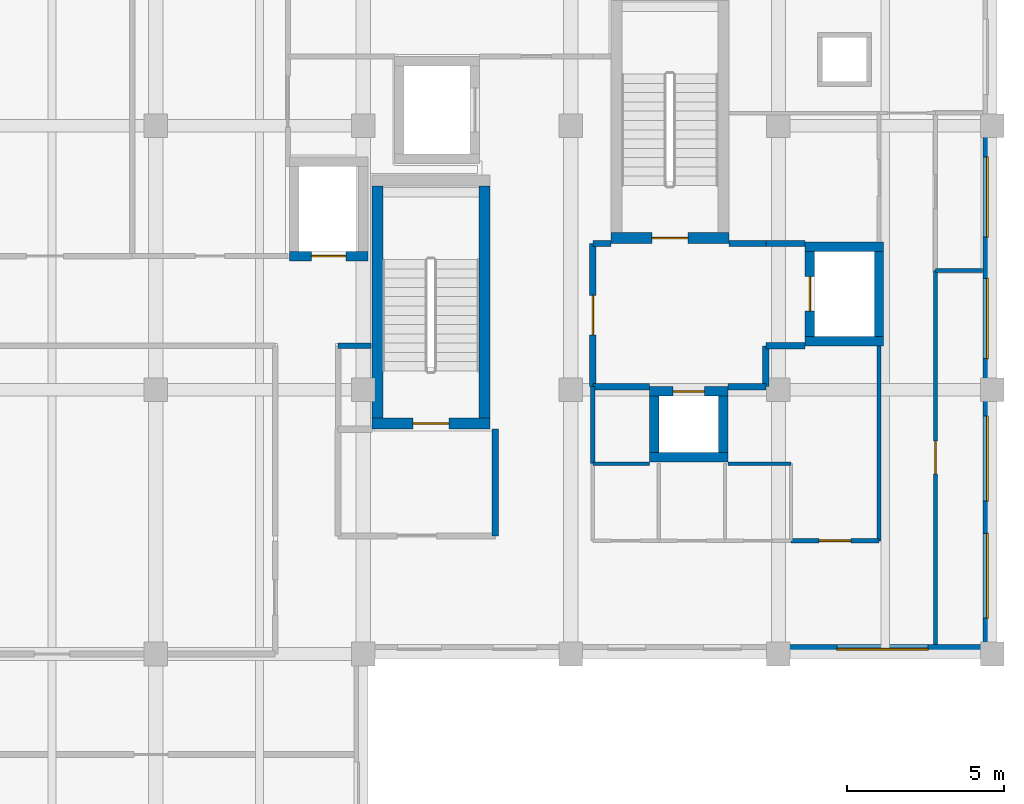
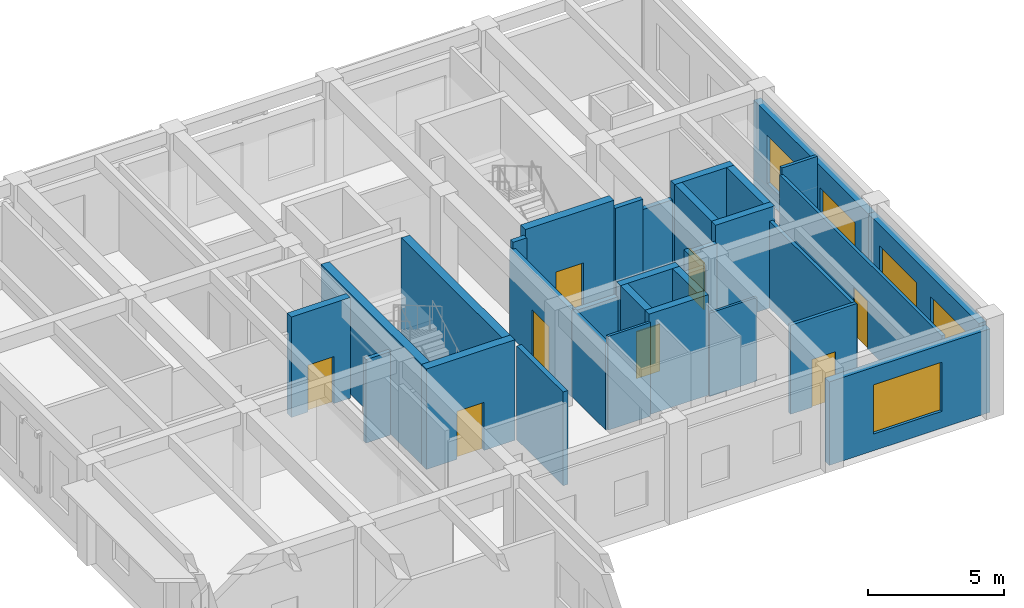
# One storey, part 13 of 25: 33 walls, 8 doors, 5 windows, 13 openings.
"""IFC4 building model written with IfcOpenShell, lengths in metres."""

from ifc_helpers import new_model, si_unit, direction, frame, frame_2d, origin, place, context, subcontext, project, spatial, rectangle, extrude, material, layer, layer_set, type_object, element, fill, save


model = new_model("IFC4")

# Units and contexts
model_context = context("Model", 3, precision=1e-05, world=origin(), true_north=direction((0.0, 1.0)))
body_context = subcontext(model_context, "Body", "Model", "MODEL_VIEW")
ifc_project = project(units=[si_unit("LENGTHUNIT", "METRE"), si_unit("AREAUNIT", "SQUARE_METRE"), si_unit("VOLUMEUNIT", "CUBIC_METRE"), si_unit("PLANEANGLEUNIT", "RADIAN"), si_unit("MASSUNIT", "GRAM", prefix="KILO")], contexts=[model_context])

# Site, building, storey
site_placement = place(None, origin())
site = spatial("IfcSite", under=ifc_project, at=site_placement, CompositionType="ELEMENT")
building_placement = place(site_placement, origin())
building = spatial("IfcBuilding", under=site, at=building_placement, Name="Kolvaren Faculty of Natural Sciences", CompositionType="ELEMENT")
storey_placement = place(building_placement, frame((0.0, 0.0, 19.5)))
storey = spatial("IfcBuildingStorey", under=building, at=storey_placement, Name="L04", CompositionType="ELEMENT", Elevation=19.5)

# Wall
ifc_material_1 = material(Name="Acoustic mineral-wool insulated gypsum partition")
ifc_layer_1 = layer(ifc_material_1, 0.139892578125)
ifc_layer_set_1 = layer_set([ifc_layer_1], Name="Acoustic mineral-wool insulated gypsum partition")
wall_type_1 = type_object("IfcWallType", Name="CommonsPartitionWall_140", PredefinedType="PARTITIONING", material=ifc_layer_set_1)
wall_1_placement = place(storey_placement, frame((168.39990234375, 68.798095703125, 0.0), z_axis=(0.0, 0.0, 1.0), x_axis=(0.0, -1.0, 0.0)))
element("IfcWall", 1, at=wall_1_placement, inside=storey, type_object=wall_type_1, Name="L04 interior partition PW-140", PredefinedType="PARTITIONING", context=body_context, shape_type="SweptSolid", body=[
    extrude(rectangle(XDim=6.197998046875, YDim=0.139892578125, at=frame_2d((3.09912109375, 0.0))), origin(), (0.0, 0.0, 1.0), 3.885009765625),
])

# Wall, opening, door
wall_2_placement = place(storey_placement, frame((168.39990234375, 62.60009765625, 0.0), z_axis=(0.0, 0.0, 1.0), x_axis=(-1.0, 0.0, 0.0)))
wall_2 = element("IfcWall", 2, at=wall_2_placement, inside=storey, type_object=wall_type_1, Name="L04 interior partition PW-140", PredefinedType="PARTITIONING", context=body_context, shape_type="SweptSolid", body=[
    extrude(rectangle(XDim=2.7998046875, YDim=0.139892578125, at=frame_2d((1.39990234375, 0.0))), origin(), (0.0, 0.0, 1.0), 3.985107421875),
])
opening_1_placement = place(wall_2_placement, frame((0.89501953125, 0.0, 0.0)))
opening_1 = element("IfcOpeningElement", 3, at=opening_1_placement, cuts=wall_2, Name="Opening ID-21", PredefinedType="OPENING", context=body_context, shape_type="SweptSolid", body=[
    extrude(rectangle(XDim=1.010009765625, YDim=2.139892578125, at=frame_2d((0.5048828125, 1.06982421875))), frame((0.0, 0.079833984375, 0.0), z_axis=(0.0, -1.0, 0.0), x_axis=(1.0, 0.0, 0.0)), (0.0, 0.0, 1.0), 0.159912109375),
])
ifc_material_2 = material(Name="Solid-core hardwood veneer door leaf in steel frame", Category="steel")
door_type_1 = type_object("IfcDoorType", Name="InteriorRoomDoor_1010x2140", OperationType="NOTDEFINED", PredefinedType="DOOR", material=ifc_material_2)
door_1_placement = place(opening_1_placement, origin())
door_1 = element("IfcDoor", 4, at=door_1_placement, inside=storey, type_object=door_type_1, Name="D-L04-0290", OperationType="SINGLE_SWING_LEFT", OverallHeight=2.139892578125, OverallWidth=1.010009765625, PredefinedType="DOOR", context=body_context, shape_type="SweptSolid", body=[
    extrude(rectangle(XDim=1.010009765625, YDim=2.139892578125, at=frame_2d((0.5048828125, 1.06982421875))), frame((0.0, 0.02490234375, 0.0), z_axis=(0.0, -1.0, 0.0), x_axis=(1.0, 0.0, 0.0)), (0.0, 0.0, 1.0), 0.050048828125),
])
fill(opening_1, door_1)

# Wall
wall_3_placement = place(storey_placement, frame((159.300048828125, 65.050048828125, 0.0), z_axis=(0.0, 0.0, 1.0), x_axis=(0.0, 1.0, 0.0)))
element("IfcWall", 5, at=wall_3_placement, inside=storey, type_object=wall_type_1, Name="L04 interior partition PW-140", PredefinedType="PARTITIONING", context=body_context, shape_type="SweptSolid", body=[
    extrude(rectangle(XDim=2.449951171875, YDim=0.139892578125, at=frame_2d((1.22509765625, 0.0))), origin(), (0.0, 0.0, 1.0), 3.885009765625),
])

# Wall, opening, door
ifc_material_3 = material(Name="Concrete C40/50", Category="concrete")
ifc_layer_2 = layer(ifc_material_3, 0.35009765625)
ifc_layer_set_2 = layer_set([ifc_layer_2], Name="Concrete C40/50")
wall_type_2 = type_object("IfcWallType", Name="CoreShearWall_350", PredefinedType="SHEAR", material=ifc_layer_set_2)
wall_4_placement = place(storey_placement, frame((159.875, 72.22509765625, 0.0), z_axis=(0.0, 0.0, 1.0), x_axis=(1.0, 0.0, 0.0)))
wall_4 = element("IfcWall", 6, at=wall_4_placement, inside=storey, type_object=wall_type_2, Name="L04 CORE-C1 stair shear wall S", PredefinedType="SHEAR", context=body_context, shape_type="SweptSolid", body=[
    extrude(rectangle(XDim=3.75, YDim=0.35009765625, at=frame_2d((1.875, 0.0))), origin(), (0.0, 0.0, 1.0), 4.5),
])
opening_2_placement = place(wall_4_placement, frame((1.300048828125, 0.0, 0.0)))
opening_2 = element("IfcOpeningElement", 7, at=opening_2_placement, cuts=wall_4, Name="Opening FD90", PredefinedType="OPENING", context=body_context, shape_type="SweptSolid", body=[
    extrude(rectangle(XDim=1.14990234375, YDim=2.14990234375, at=frame_2d((0.574951171875, 1.074951171875))), frame((0.0, 0.18505859375, 0.0), z_axis=(0.0, -1.0, 0.0), x_axis=(1.0, 0.0, 0.0)), (0.0, 0.0, 1.0), 0.3701171875),
])
ifc_material_4 = material(Name="Fire-rated solid-core hardwood door leaf in steel frame", Category="steel")
door_type_2 = type_object("IfcDoorType", Name="StairCoreFireDoor_1150x2150", OperationType="NOTDEFINED", PredefinedType="DOOR", material=ifc_material_4)
door_2_placement = place(opening_2_placement, origin())
door_2 = element("IfcDoor", 8, at=door_2_placement, inside=storey, type_object=door_type_2, Name="D-ST-ST-1-L04", OperationType="SINGLE_SWING_RIGHT", OverallHeight=2.14990234375, OverallWidth=1.14990234375, PredefinedType="DOOR", context=body_context, shape_type="SweptSolid", body=[
    extrude(rectangle(XDim=1.14990234375, YDim=2.14990234375, at=frame_2d((0.574951171875, 1.074951171875))), frame((0.0, 0.02490234375, 0.0), z_axis=(0.0, -1.0, 0.0), x_axis=(1.0, 0.0, 0.0)), (0.0, 0.0, 1.0), 0.050048828125),
])
fill(opening_2, door_2)

wall_5_placement = place(storey_placement, frame((152.27490234375, 66.324951171875, 0.0), z_axis=(0.0, 0.0, 1.0), x_axis=(1.0, 0.0, 0.0)))
wall_5 = element("IfcWall", 9, at=wall_5_placement, inside=storey, type_object=wall_type_2, Name="L04 CORE-C2 stair shear wall S", PredefinedType="SHEAR", context=body_context, shape_type="SweptSolid", body=[
    extrude(rectangle(XDim=3.75, YDim=0.35009765625, at=frame_2d((1.875, 0.0))), origin(), (0.0, 0.0, 1.0), 4.5),
])
opening_3_placement = place(wall_5_placement, frame((1.300048828125, 0.0, 0.0)))
opening_3 = element("IfcOpeningElement", 10, at=opening_3_placement, cuts=wall_5, Name="Opening FD90", PredefinedType="OPENING", context=body_context, shape_type="SweptSolid", body=[
    extrude(rectangle(XDim=1.14990234375, YDim=2.14990234375, at=frame_2d((0.574951171875, 1.074951171875))), frame((0.0, 0.18505859375, 0.0), z_axis=(0.0, -1.0, 0.0), x_axis=(1.0, 0.0, 0.0)), (0.0, 0.0, 1.0), 0.3701171875),
])
door_3_placement = place(opening_3_placement, origin())
door_3 = element("IfcDoor", 11, at=door_3_placement, inside=storey, type_object=door_type_2, Name="D-ST-ST-2-L04", OperationType="SINGLE_SWING_RIGHT", OverallHeight=2.14990234375, OverallWidth=1.14990234375, PredefinedType="DOOR", context=body_context, shape_type="SweptSolid", body=[
    extrude(rectangle(XDim=1.14990234375, YDim=2.14990234375, at=frame_2d((0.574951171875, 1.074951171875))), frame((0.0, 0.02490234375, 0.0), z_axis=(0.0, -1.0, 0.0), x_axis=(1.0, 0.0, 0.0)), (0.0, 0.0, 1.0), 0.050048828125),
])
fill(opening_3, door_3)

# Walls
for number, where, z_axis, x_axis, name in (
    (12, (152.449951171875, 66.5, 0.0), (0.0, 0.0, 1.0), (0.0, 1.0, 0.0), "L04 CORE-C2 stair shear wall W"),
    (13, (155.85009765625, 66.5, 0.0), (0.0, 0.0, 1.0), (0.0, 1.0, 0.0), "L04 CORE-C2 stair shear wall E"),
):
    element("IfcWall", number, at=place(storey_placement, frame(where, z_axis=z_axis, x_axis=x_axis)), inside=storey, type_object=wall_type_2, Name=name, PredefinedType="SHEAR", context=body_context, shape_type="SweptSolid", body=[
        extrude(rectangle(XDim=7.375, YDim=0.35009765625, at=frame_2d((3.6875, 0.0))), origin(), (0.0, 0.0, 1.0), 4.5),
    ])

# Wall, openings, windows
ifc_material_5 = material(Name="Sandstone-faced insulated cavity masonry", Category="masonry")
ifc_layer_3 = layer(ifc_material_5, 0.300048828125)
ifc_layer_set_3 = layer_set([ifc_layer_3], Name="Sandstone-faced insulated cavity masonry")
wall_type_3 = type_object("IfcWallType", Name="ExteriorCavityWall_300", PredefinedType="STANDARD", material=ifc_layer_set_3)
wall_6_placement = place(storey_placement, frame((171.85009765625, 75.800048828125, 0.0), z_axis=(0.0, 0.0, 1.0), x_axis=(0.0, -1.0, 0.0)))
wall_6 = element("IfcWall", 14, at=wall_6_placement, inside=storey, type_object=wall_type_3, Name="L04 exterior masonry wall EW-300 (612)", PredefinedType="STANDARD", context=body_context, shape_type="SweptSolid", body=[
    extrude(rectangle(XDim=8.400146484375, YDim=0.300048828125, at=frame_2d((4.2001953125, 0.0))), origin(), (0.0, 0.0, 1.0), 3.885009765625),
])
opening_4_placement = place(wall_6_placement, frame((0.992919921875, 0.0, 0.75)))
opening_4 = element("IfcOpeningElement", 15, at=opening_4_placement, cuts=wall_6, Name="Opening WIN-10", PredefinedType="OPENING", context=body_context, shape_type="SweptSolid", body=[
    extrude(rectangle(XDim=2.550048828125, YDim=2.14990234375, at=frame_2d((1.27490234375, 1.074951171875))), frame((0.0, 0.159912109375, 0.0), z_axis=(0.0, -1.0, 0.0), x_axis=(1.0, 0.0, 0.0)), (0.0, 0.0, 1.0), 0.320068359375),
])
opening_5_placement = place(wall_6_placement, frame((4.85693359375, 0.0, 0.75)))
opening_5 = element("IfcOpeningElement", 16, at=opening_5_placement, cuts=wall_6, Name="Opening WIN-10", PredefinedType="OPENING", context=body_context, shape_type="SweptSolid", body=[
    extrude(rectangle(XDim=2.550048828125, YDim=2.14990234375, at=frame_2d((1.27490234375, 1.074951171875))), frame((0.0, 0.159912109375, 0.0), z_axis=(0.0, -1.0, 0.0), x_axis=(1.0, 0.0, 0.0)), (0.0, 0.0, 1.0), 0.320068359375),
])
ifc_material_6 = material(Name="Double low-E solar control insulated glazing", Category="glass")
window_type_1 = type_object("IfcWindowType", Name="AluWindow_WIN10_2550x2150", PartitioningType="SINGLE_PANEL", PredefinedType="WINDOW", material=ifc_material_6)
window_1_placement = place(opening_4_placement, origin())
window_1 = element("IfcWindow", 17, at=window_1_placement, inside=storey, type_object=window_type_1, Name="WIN-L04-0402", OverallHeight=2.14990234375, OverallWidth=2.550048828125, PartitioningType="SINGLE_PANEL", PredefinedType="WINDOW", context=body_context, shape_type="SweptSolid", body=[
    extrude(rectangle(XDim=2.550048828125, YDim=2.14990234375, at=frame_2d((1.27490234375, 1.074951171875))), frame((0.0, 0.030029296875, 0.0), z_axis=(0.0, -1.0, 0.0), x_axis=(1.0, 0.0, 0.0)), (0.0, 0.0, 1.0), 0.06005859375),
])
fill(opening_4, window_1)
window_2_placement = place(opening_5_placement, origin())
window_2 = element("IfcWindow", 18, at=window_2_placement, inside=storey, type_object=window_type_1, Name="WIN-L04-0403", OverallHeight=2.14990234375, OverallWidth=2.550048828125, PartitioningType="SINGLE_PANEL", PredefinedType="WINDOW", context=body_context, shape_type="SweptSolid", body=[
    extrude(rectangle(XDim=2.550048828125, YDim=2.14990234375, at=frame_2d((1.27490234375, 1.074951171875))), frame((0.0, 0.030029296875, 0.0), z_axis=(0.0, -1.0, 0.0), x_axis=(1.0, 0.0, 0.0)), (0.0, 0.0, 1.0), 0.06005859375),
])
fill(opening_5, window_2)

wall_7_placement = place(storey_placement, frame((171.85009765625, 67.39990234375, 0.0), z_axis=(0.0, 0.0, 1.0), x_axis=(0.0, -1.0, 0.0)))
wall_7 = element("IfcWall", 19, at=wall_7_placement, inside=storey, type_object=wall_type_3, Name="L04 exterior masonry wall EW-300 (613)", PredefinedType="STANDARD", context=body_context, shape_type="SweptSolid", body=[
    extrude(rectangle(XDim=8.099853515625, YDim=0.300048828125, at=frame_2d((4.0498046875, 0.0))), origin(), (0.0, 0.0, 1.0), 3.885009765625),
])
opening_6_placement = place(wall_7_placement, frame((0.8369140625, 0.0, 0.75)))
opening_6 = element("IfcOpeningElement", 20, at=opening_6_placement, cuts=wall_7, Name="Opening WIN-11", PredefinedType="OPENING", context=body_context, shape_type="SweptSolid", body=[
    extrude(rectangle(XDim=2.699951171875, YDim=2.199951171875, at=frame_2d((1.35009765625, 1.10009765625))), frame((0.0, 0.159912109375, 0.0), z_axis=(0.0, -1.0, 0.0), x_axis=(1.0, 0.0, 0.0)), (0.0, 0.0, 1.0), 0.320068359375),
])
opening_7_placement = place(wall_7_placement, frame((4.56298828125, 0.0, 0.75)))
opening_7 = element("IfcOpeningElement", 21, at=opening_7_placement, cuts=wall_7, Name="Opening WIN-11", PredefinedType="OPENING", context=body_context, shape_type="SweptSolid", body=[
    extrude(rectangle(XDim=2.699951171875, YDim=2.199951171875, at=frame_2d((1.35009765625, 1.10009765625))), frame((0.0, 0.159912109375, 0.0), z_axis=(0.0, -1.0, 0.0), x_axis=(1.0, 0.0, 0.0)), (0.0, 0.0, 1.0), 0.320068359375),
])
window_type_2 = type_object("IfcWindowType", Name="AluWindow_WIN11_2700x2200", PartitioningType="SINGLE_PANEL", PredefinedType="WINDOW", material=ifc_material_6)
window_3_placement = place(opening_6_placement, origin())
window_3 = element("IfcWindow", 22, at=window_3_placement, inside=storey, type_object=window_type_2, Name="WIN-L04-0404", OverallHeight=2.199951171875, OverallWidth=2.699951171875, PartitioningType="SINGLE_PANEL", PredefinedType="WINDOW", context=body_context, shape_type="SweptSolid", body=[
    extrude(rectangle(XDim=2.699951171875, YDim=2.199951171875, at=frame_2d((1.35009765625, 1.10009765625))), frame((0.0, 0.030029296875, 0.0), z_axis=(0.0, -1.0, 0.0), x_axis=(1.0, 0.0, 0.0)), (0.0, 0.0, 1.0), 0.06005859375),
])
fill(opening_6, window_3)
window_4_placement = place(opening_7_placement, origin())
window_4 = element("IfcWindow", 23, at=window_4_placement, inside=storey, type_object=window_type_2, Name="WIN-L04-0405", OverallHeight=2.199951171875, OverallWidth=2.699951171875, PartitioningType="SINGLE_PANEL", PredefinedType="WINDOW", context=body_context, shape_type="SweptSolid", body=[
    extrude(rectangle(XDim=2.699951171875, YDim=2.199951171875, at=frame_2d((1.35009765625, 1.10009765625))), frame((0.0, 0.030029296875, 0.0), z_axis=(0.0, -1.0, 0.0), x_axis=(1.0, 0.0, 0.0)), (0.0, 0.0, 1.0), 0.06005859375),
])
fill(opening_7, window_4)

# Wall, opening, window
wall_8_placement = place(storey_placement, frame((172.0, 59.14990234375, 0.0), z_axis=(0.0, 0.0, 1.0), x_axis=(-1.0, 0.0, 0.0)))
wall_8 = element("IfcWall", 24, at=wall_8_placement, inside=storey, type_object=wall_type_3, Name="L04 exterior masonry wall EW-300 (614)", PredefinedType="STANDARD", context=body_context, shape_type="SweptSolid", body=[
    extrude(rectangle(XDim=6.800048828125, YDim=0.300048828125, at=frame_2d((3.39990234375, 0.0))), origin(), (0.0, 0.0, 1.0), 3.735107421875),
])
opening_8_placement = place(wall_8_placement, frame((2.0400390625, 0.0, 0.75)))
opening_8 = element("IfcOpeningElement", 25, at=opening_8_placement, cuts=wall_8, Name="Opening WIN-12", PredefinedType="OPENING", context=body_context, shape_type="SweptSolid", body=[
    extrude(rectangle(XDim=2.89990234375, YDim=2.199951171875, at=frame_2d((1.449951171875, 1.10009765625))), frame((0.0, 0.159912109375, 0.0), z_axis=(0.0, -1.0, 0.0), x_axis=(1.0, 0.0, 0.0)), (0.0, 0.0, 1.0), 0.320068359375),
])
window_type_3 = type_object("IfcWindowType", Name="AluWindow_WIN12_2900x2200", PartitioningType="SINGLE_PANEL", PredefinedType="WINDOW", material=ifc_material_6)
window_5_placement = place(opening_8_placement, origin())
window_5 = element("IfcWindow", 26, at=window_5_placement, inside=storey, type_object=window_type_3, Name="WIN-L04-0406", OverallHeight=2.199951171875, OverallWidth=2.89990234375, PartitioningType="SINGLE_PANEL", PredefinedType="WINDOW", context=body_context, shape_type="SweptSolid", body=[
    extrude(rectangle(XDim=2.89990234375, YDim=2.199951171875, at=frame_2d((1.449951171875, 1.10009765625))), frame((0.0, 0.030029296875, 0.0), z_axis=(0.0, -1.0, 0.0), x_axis=(1.0, 0.0, 0.0)), (0.0, 0.0, 1.0), 0.06005859375),
])
fill(opening_8, window_5)

# Walls
ifc_material_7 = material(Name="Autoclaved aerated fire-rated masonry blockwork", Category="masonry")
ifc_layer_4 = layer(ifc_material_7, 0.199951171875)
ifc_layer_set_4 = layer_set([ifc_layer_4], Name="Autoclaved aerated fire-rated masonry blockwork")
wall_type_4 = type_object("IfcWallType", Name="FireLobbyWall_200", PredefinedType="PARTITIONING", material=ifc_layer_set_4)
wall_9_placement = place(storey_placement, frame((159.300048828125, 72.050048828125, 0.0), z_axis=(0.0, 0.0, 1.0), x_axis=(1.0, 0.0, 0.0)))
element("IfcWall", 27, at=wall_9_placement, inside=storey, type_object=wall_type_4, Name="L04 interior partition FW-200", PredefinedType="PARTITIONING", context=body_context, shape_type="SweptSolid", body=[
    extrude(rectangle(XDim=0.574951171875, YDim=0.199951171875, at=frame_2d((0.28759765625, 0.0))), origin(), (0.0, 0.0, 1.0), 4.195068359375),
])
wall_10_placement = place(storey_placement, frame((163.625, 72.050048828125, 0.0), z_axis=(0.0, 0.0, 1.0), x_axis=(1.0, 0.0, 0.0)))
element("IfcWall", 28, at=wall_10_placement, inside=storey, type_object=wall_type_4, Name="L04 interior partition FW-200", PredefinedType="PARTITIONING", context=body_context, shape_type="SweptSolid", body=[
    extrude(rectangle(XDim=1.175048828125, YDim=0.199951171875, at=frame_2d((0.58740234375, 0.0))), origin(), (0.0, 0.0, 1.0), 4.195068359375),
])
for number, where, z_axis, x_axis, name in (
    (29, (164.800048828125, 72.050048828125, 0.0), (0.0, 0.0, 1.0), (1.0, 0.0, 0.0), "L04 interior partition FW-200"),
    (30, (166.050048828125, 68.800048828125, 0.0), (0.0, 0.0, 1.0), (-1.0, 0.0, 0.0), "L04 interior partition FW-200"),
):
    element("IfcWall", number, at=place(storey_placement, frame(where, z_axis=z_axis, x_axis=x_axis)), inside=storey, type_object=wall_type_4, Name=name, PredefinedType="PARTITIONING", context=body_context, shape_type="SweptSolid", body=[
        extrude(rectangle(XDim=1.25, YDim=0.199951171875, at=frame_2d((0.625, 0.0))), origin(), (0.0, 0.0, 1.0), 3.735107421875),
    ])
wall_11_placement = place(storey_placement, frame((164.800048828125, 68.800048828125, 0.0), z_axis=(0.0, 0.0, 1.0), x_axis=(0.0, -1.0, 0.0)))
element("IfcWall", 31, at=wall_11_placement, inside=storey, type_object=wall_type_4, Name="L04 interior partition FW-200", PredefinedType="PARTITIONING", context=body_context, shape_type="SweptSolid", body=[
    extrude(rectangle(XDim=1.300048828125, YDim=0.199951171875, at=frame_2d((0.64990234375, 0.0))), origin(), (0.0, 0.0, 1.0), 3.885009765625),
])
wall_12_placement = place(storey_placement, frame((164.800048828125, 67.5, 0.0), z_axis=(0.0, 0.0, 1.0), x_axis=(-1.0, 0.0, 0.0)))
element("IfcWall", 32, at=wall_12_placement, inside=storey, type_object=wall_type_4, Name="L04 interior partition FW-200", PredefinedType="PARTITIONING", context=body_context, shape_type="SweptSolid", body=[
    extrude(rectangle(XDim=1.199951171875, YDim=0.199951171875, at=frame_2d((0.60009765625, 0.0))), origin(), (0.0, 0.0, 1.0), 3.885009765625),
])
wall_13_placement = place(storey_placement, frame((161.10009765625, 67.5, 0.0), z_axis=(0.0, 0.0, 1.0), x_axis=(-1.0, 0.0, 0.0)))
element("IfcWall", 33, at=wall_13_placement, inside=storey, type_object=wall_type_4, Name="L04 interior partition FW-200", PredefinedType="PARTITIONING", context=body_context, shape_type="SweptSolid", body=[
    extrude(rectangle(XDim=1.800048828125, YDim=0.199951171875, at=frame_2d((0.89990234375, 0.0))), origin(), (0.0, 0.0, 1.0), 3.885009765625),
])

# Wall, opening, door
wall_14_placement = place(storey_placement, frame((159.300048828125, 67.5, 0.0), z_axis=(0.0, 0.0, 1.0), x_axis=(0.0, 1.0, 0.0)))
wall_14 = element("IfcWall", 34, at=wall_14_placement, inside=storey, type_object=wall_type_4, Name="L04 interior partition FW-200", PredefinedType="PARTITIONING", context=body_context, shape_type="SweptSolid", body=[
    extrude(rectangle(XDim=4.550048828125, YDim=0.199951171875, at=frame_2d((2.27490234375, 0.0))), origin(), (0.0, 0.0, 1.0), 3.885009765625),
])
opening_9_placement = place(wall_14_placement, frame((1.64990234375, 0.0, 0.0)))
opening_9 = element("IfcOpeningElement", 35, at=opening_9_placement, cuts=wall_14, Name="Opening FD60", PredefinedType="OPENING", context=body_context, shape_type="SweptSolid", body=[
    extrude(rectangle(XDim=1.25, YDim=2.14990234375, at=frame_2d((0.625, 1.074951171875))), frame((0.0, 0.10986328125, 0.0), z_axis=(0.0, -1.0, 0.0), x_axis=(1.0, 0.0, 0.0)), (0.0, 0.0, 1.0), 0.219970703125),
])
door_type_3 = type_object("IfcDoorType", Name="RescueLobbyFireDoor_1250x2150", OperationType="NOTDEFINED", PredefinedType="DOOR", material=ifc_material_4)
door_4_placement = place(opening_9_placement, origin())
door_4 = element("IfcDoor", 36, at=door_4_placement, inside=storey, type_object=door_type_3, Name="D-L04-0264", OperationType="SINGLE_SWING_LEFT", OverallHeight=2.14990234375, OverallWidth=1.25, PredefinedType="DOOR", context=body_context, shape_type="SweptSolid", body=[
    extrude(rectangle(XDim=1.25, YDim=2.14990234375, at=frame_2d((0.625, 1.074951171875))), frame((0.0, 0.02490234375, 0.0), z_axis=(0.0, -1.0, 0.0), x_axis=(1.0, 0.0, 0.0)), (0.0, 0.0, 1.0), 0.050048828125),
])
fill(opening_9, door_4)

# Wall
wall_15_placement = place(storey_placement, frame((156.199951171875, 66.14990234375, 0.0), z_axis=(0.0, 0.0, 1.0), x_axis=(0.0, -1.0, 0.0)))
element("IfcWall", 37, at=wall_15_placement, inside=storey, type_object=wall_type_4, Name="L04 interior partition FW-200", PredefinedType="PARTITIONING", context=body_context, shape_type="SweptSolid", body=[
    extrude(rectangle(XDim=3.39990234375, YDim=0.199951171875, at=frame_2d((1.699951171875, 0.0))), origin(), (0.0, 0.0, 1.0), 4.195068359375),
])

# Wall, opening, door
ifc_layer_5 = layer(ifc_material_1, 0.1298828125)
ifc_layer_set_5 = layer_set([ifc_layer_5], Name="Acoustic mineral-wool insulated gypsum partition")
wall_type_5 = type_object("IfcWallType", Name="OfficePartitionWall_130", PredefinedType="PARTITIONING", material=ifc_layer_set_5)
wall_16_placement = place(storey_placement, frame((170.199951171875, 59.302001953125, 0.0), z_axis=(0.0, 0.0, 1.0), x_axis=(0.0, 1.0, 0.0)))
wall_16 = element("IfcWall", 38, at=wall_16_placement, inside=storey, type_object=wall_type_5, Name="L04 interior partition PW-130", PredefinedType="PARTITIONING", context=body_context, shape_type="SweptSolid", body=[
    extrude(rectangle(XDim=11.89794921875, YDim=0.1298828125, at=frame_2d((5.948974609375, 0.0))), origin(), (0.0, 0.0, 1.0), 3.885009765625),
])
opening_10_placement = place(wall_16_placement, frame((5.428955078125, 0.0, 0.0)))
opening_10 = element("IfcOpeningElement", 39, at=opening_10_placement, cuts=wall_16, Name="Opening ID-22", PredefinedType="OPENING", context=body_context, shape_type="SweptSolid", body=[
    extrude(rectangle(XDim=1.0400390625, YDim=2.139892578125, at=frame_2d((0.52001953125, 1.06982421875))), frame((0.0, 0.074951171875, 0.0), z_axis=(0.0, -1.0, 0.0), x_axis=(1.0, 0.0, 0.0)), (0.0, 0.0, 1.0), 0.14990234375),
])
door_type_4 = type_object("IfcDoorType", Name="InteriorRoomDoor_1040x2140", OperationType="NOTDEFINED", PredefinedType="DOOR", material=ifc_material_2)
door_5_placement = place(opening_10_placement, origin())
door_5 = element("IfcDoor", 40, at=door_5_placement, inside=storey, type_object=door_type_4, Name="D-L04-0291", OperationType="SINGLE_SWING_RIGHT", OverallHeight=2.139892578125, OverallWidth=1.0400390625, PredefinedType="DOOR", context=body_context, shape_type="SweptSolid", body=[
    extrude(rectangle(XDim=1.0400390625, YDim=2.139892578125, at=frame_2d((0.52001953125, 1.06982421875))), frame((0.0, 0.02490234375, 0.0), z_axis=(0.0, -1.0, 0.0), x_axis=(1.0, 0.0, 0.0)), (0.0, 0.0, 1.0), 0.050048828125),
])
fill(opening_10, door_5)

# Walls
wall_17_placement = place(storey_placement, frame((170.199951171875, 71.199951171875, 0.0), z_axis=(0.0, 0.0, 1.0), x_axis=(1.0, 0.0, 0.0)))
element("IfcWall", 41, at=wall_17_placement, inside=storey, type_object=wall_type_5, Name="L04 interior partition PW-130", PredefinedType="PARTITIONING", context=body_context, shape_type="SweptSolid", body=[
    extrude(rectangle(XDim=1.498046875, YDim=0.1298828125, at=frame_2d((0.7490234375, 0.0))), origin(), (0.0, 0.0, 1.0), 4.195068359375),
])
ifc_layer_6 = layer(ifc_material_1, 0.169921875)
ifc_layer_set_6 = layer_set([ifc_layer_6], Name="Acoustic mineral-wool insulated gypsum partition")
wall_type_6 = type_object("IfcWallType", Name="SeminarPartitionWall_170", PredefinedType="PARTITIONING", material=ifc_layer_set_6)
wall_18_placement = place(storey_placement, frame((151.199951171875, 68.800048828125, 0.0), z_axis=(0.0, 0.0, 1.0), x_axis=(1.0, 0.0, 0.0)))
element("IfcWall", 42, at=wall_18_placement, inside=storey, type_object=wall_type_6, Name="L04 interior partition PW-170", PredefinedType="PARTITIONING", context=body_context, shape_type="SweptSolid", body=[
    extrude(rectangle(XDim=1.050048828125, YDim=0.169921875, at=frame_2d((0.52490234375, 0.0))), origin(), (0.0, 0.0, 1.0), 3.735107421875),
])
ifc_layer_7 = layer(ifc_material_3, 0.300048828125)
ifc_layer_set_7 = layer_set([ifc_layer_7], Name="Concrete C40/50")
wall_type_7 = type_object("IfcWallType", Name="ShaftShearWall_300", PredefinedType="SHEAR", material=ifc_layer_set_7)
for number, where, z_axis, x_axis, name in (
    (43, (166.050048828125, 68.949951171875, 0.0), (0.0, 0.0, 1.0), (1.0, 0.0, 0.0), "L04 lift FL-1 shaft wall S"),
    (44, (166.050048828125, 71.949951171875, 0.0), (0.0, 0.0, 1.0), (1.0, 0.0, 0.0), "L04 lift FL-1 shaft wall N"),
):
    element("IfcWall", number, at=place(storey_placement, frame(where, z_axis=z_axis, x_axis=x_axis)), inside=storey, type_object=wall_type_7, Name=name, PredefinedType="SHEAR", context=body_context, shape_type="SweptSolid", body=[
        extrude(rectangle(XDim=2.5, YDim=0.300048828125, at=frame_2d((1.25, 0.0))), origin(), (0.0, 0.0, 1.0), 4.5),
    ])

# Wall, opening, door
wall_19_placement = place(storey_placement, frame((166.199951171875, 69.10009765625, 0.0), z_axis=(0.0, 0.0, 1.0), x_axis=(0.0, 1.0, 0.0)))
wall_19 = element("IfcWall", 45, at=wall_19_placement, inside=storey, type_object=wall_type_7, Name="L04 lift FL-1 shaft wall W", PredefinedType="SHEAR", context=body_context, shape_type="SweptSolid", body=[
    extrude(rectangle(XDim=2.699951171875, YDim=0.300048828125, at=frame_2d((1.35009765625, 0.0))), origin(), (0.0, 0.0, 1.0), 4.5),
])
opening_11_placement = place(wall_19_placement, frame((0.800048828125, 0.0, 0.0)))
opening_11 = element("IfcOpeningElement", 46, at=opening_11_placement, cuts=wall_19, Name="Opening LD-01", PredefinedType="OPENING", context=body_context, shape_type="SweptSolid", body=[
    extrude(rectangle(XDim=1.10009765625, YDim=2.10009765625, at=frame_2d((0.550048828125, 1.050048828125))), frame((0.0, 0.159912109375, 0.0), z_axis=(0.0, -1.0, 0.0), x_axis=(1.0, 0.0, 0.0)), (0.0, 0.0, 1.0), 0.320068359375),
])
ifc_material_8 = material(Name="Brushed stainless steel lift car and sliding door assembly", Category="steel")
door_type_5 = type_object("IfcDoorType", Name="LiftLandingSliding_1100x2100", OperationType="DOUBLE_DOOR_SLIDING", PredefinedType="DOOR", material=ifc_material_8)
door_6_placement = place(opening_11_placement, origin())
door_6 = element("IfcDoor", 47, at=door_6_placement, inside=storey, type_object=door_type_5, Name="D-LIFT-FL-1-L04", OperationType="DOUBLE_DOOR_SLIDING", OverallHeight=2.10009765625, OverallWidth=1.10009765625, PredefinedType="DOOR", context=body_context, shape_type="SweptSolid", body=[
    extrude(rectangle(XDim=1.10009765625, YDim=2.10009765625, at=frame_2d((0.550048828125, 1.050048828125))), frame((0.0, 0.02490234375, 0.0), z_axis=(0.0, -1.0, 0.0), x_axis=(1.0, 0.0, 0.0)), (0.0, 0.0, 1.0), 0.050048828125),
])
fill(opening_11, door_6)

# Walls
wall_20_placement = place(storey_placement, frame((168.39990234375, 69.10009765625, 0.0), z_axis=(0.0, 0.0, 1.0), x_axis=(0.0, 1.0, 0.0)))
element("IfcWall", 48, at=wall_20_placement, inside=storey, type_object=wall_type_7, Name="L04 lift FL-1 shaft wall E", PredefinedType="SHEAR", context=body_context, shape_type="SweptSolid", body=[
    extrude(rectangle(XDim=2.699951171875, YDim=0.300048828125, at=frame_2d((1.35009765625, 0.0))), origin(), (0.0, 0.0, 1.0), 4.5),
])
wall_21_placement = place(storey_placement, frame((161.10009765625, 65.25, 0.0), z_axis=(0.0, 0.0, 1.0), x_axis=(1.0, 0.0, 0.0)))
element("IfcWall", 49, at=wall_21_placement, inside=storey, type_object=wall_type_7, Name="L04 lift PL-1 shaft wall S", PredefinedType="SHEAR", context=body_context, shape_type="SweptSolid", body=[
    extrude(rectangle(XDim=2.5, YDim=0.300048828125, at=frame_2d((1.25, 0.0))), origin(), (0.0, 0.0, 1.0), 4.5),
])

# Wall, opening, door
wall_22_placement = place(storey_placement, frame((161.10009765625, 67.35009765625, 0.0), z_axis=(0.0, 0.0, 1.0), x_axis=(1.0, 0.0, 0.0)))
wall_22 = element("IfcWall", 50, at=wall_22_placement, inside=storey, type_object=wall_type_7, Name="L04 lift PL-1 shaft wall N", PredefinedType="SHEAR", context=body_context, shape_type="SweptSolid", body=[
    extrude(rectangle(XDim=2.5, YDim=0.300048828125, at=frame_2d((1.25, 0.0))), origin(), (0.0, 0.0, 1.0), 4.5),
])
opening_12_placement = place(wall_22_placement, frame((0.75, 0.0, 0.0)))
opening_12 = element("IfcOpeningElement", 51, at=opening_12_placement, cuts=wall_22, Name="Opening LD-02", PredefinedType="OPENING", context=body_context, shape_type="SweptSolid", body=[
    extrude(rectangle(XDim=1.0, YDim=2.10009765625, at=frame_2d((0.5, 1.050048828125))), frame((0.0, 0.159912109375, 0.0), z_axis=(0.0, -1.0, 0.0), x_axis=(1.0, 0.0, 0.0)), (0.0, 0.0, 1.0), 0.320068359375),
])
door_type_6 = type_object("IfcDoorType", Name="LiftLandingSliding_1000x2100", OperationType="SLIDING_TO_LEFT", PredefinedType="DOOR", material=ifc_material_8)
door_7_placement = place(opening_12_placement, origin())
door_7 = element("IfcDoor", 52, at=door_7_placement, inside=storey, type_object=door_type_6, Name="D-LIFT-PL-1-L04", OperationType="SLIDING_TO_LEFT", OverallHeight=2.10009765625, OverallWidth=1.0, PredefinedType="DOOR", context=body_context, shape_type="SweptSolid", body=[
    extrude(rectangle(XDim=1.0, YDim=2.10009765625, at=frame_2d((0.5, 1.050048828125))), frame((0.0, 0.02490234375, 0.0), z_axis=(0.0, -1.0, 0.0), x_axis=(1.0, 0.0, 0.0)), (0.0, 0.0, 1.0), 0.050048828125),
])
fill(opening_12, door_7)

# Walls
for number, where, z_axis, x_axis, name in (
    (53, (161.25, 65.39990234375, 0.0), (0.0, 0.0, 1.0), (0.0, 1.0, 0.0), "L04 lift PL-1 shaft wall W"),
    (54, (163.449951171875, 65.39990234375, 0.0), (0.0, 0.0, 1.0), (0.0, 1.0, 0.0), "L04 lift PL-1 shaft wall E"),
):
    element("IfcWall", number, at=place(storey_placement, frame(where, z_axis=z_axis, x_axis=x_axis)), inside=storey, type_object=wall_type_7, Name=name, PredefinedType="SHEAR", context=body_context, shape_type="SweptSolid", body=[
        extrude(rectangle(XDim=1.800048828125, YDim=0.300048828125, at=frame_2d((0.89990234375, 0.0))), origin(), (0.0, 0.0, 1.0), 4.5),
    ])

# Wall, opening, door
wall_23_placement = place(storey_placement, frame((149.64990234375, 71.64990234375, 0.0), z_axis=(0.0, 0.0, 1.0), x_axis=(1.0, 0.0, 0.0)))
wall_23 = element("IfcWall", 55, at=wall_23_placement, inside=storey, type_object=wall_type_7, Name="L04 lift FL-2 shaft wall S", PredefinedType="SHEAR", context=body_context, shape_type="SweptSolid", body=[
    extrude(rectangle(XDim=2.5, YDim=0.300048828125, at=frame_2d((1.25, 0.0))), origin(), (0.0, 0.0, 1.0), 4.5),
])
opening_13_placement = place(wall_23_placement, frame((0.699951171875, 0.0, 0.0)))
opening_13 = element("IfcOpeningElement", 56, at=opening_13_placement, cuts=wall_23, Name="Opening LD-01", PredefinedType="OPENING", context=body_context, shape_type="SweptSolid", body=[
    extrude(rectangle(XDim=1.10009765625, YDim=2.10009765625, at=frame_2d((0.550048828125, 1.050048828125))), frame((0.0, 0.159912109375, 0.0), z_axis=(0.0, -1.0, 0.0), x_axis=(1.0, 0.0, 0.0)), (0.0, 0.0, 1.0), 0.320068359375),
])
door_8_placement = place(opening_13_placement, origin())
door_8 = element("IfcDoor", 57, at=door_8_placement, inside=storey, type_object=door_type_5, Name="D-LIFT-FL-2-L04", OperationType="DOUBLE_DOOR_SLIDING", OverallHeight=2.10009765625, OverallWidth=1.10009765625, PredefinedType="DOOR", context=body_context, shape_type="SweptSolid", body=[
    extrude(rectangle(XDim=1.10009765625, YDim=2.10009765625, at=frame_2d((0.550048828125, 1.050048828125))), frame((0.0, 0.02490234375, 0.0), z_axis=(0.0, -1.0, 0.0), x_axis=(1.0, 0.0, 0.0)), (0.0, 0.0, 1.0), 0.050048828125),
])
fill(opening_13, door_8)

# Walls
ifc_layer_8 = layer(ifc_material_1, 0.10498046875)
ifc_layer_set_8 = layer_set([ifc_layer_8], Name="Acoustic mineral-wool insulated gypsum partition")
wall_type_8 = type_object("IfcWallType", Name="WetRoomPartition_105", PredefinedType="PARTITIONING", material=ifc_layer_set_8)
wall_24_placement = place(storey_placement, frame((159.300048828125, 65.050048828125, 0.0), z_axis=(0.0, 0.0, 1.0), x_axis=(1.0, 0.0, 0.0)))
element("IfcWall", 58, at=wall_24_placement, inside=storey, type_object=wall_type_8, Name="L04 interior partition PW-105", PredefinedType="PARTITIONING", context=body_context, shape_type="SweptSolid", body=[
    extrude(rectangle(XDim=1.800048828125, YDim=0.10498046875, at=frame_2d((0.89990234375, 0.0))), origin(), (0.0, 0.0, 1.0), 4.195068359375),
])
wall_25_placement = place(storey_placement, frame((163.60009765625, 65.050048828125, 0.0), z_axis=(0.0, 0.0, 1.0), x_axis=(1.0, 0.0, 0.0)))
element("IfcWall", 59, at=wall_25_placement, inside=storey, type_object=wall_type_8, Name="L04 interior partition PW-105", PredefinedType="PARTITIONING", context=body_context, shape_type="SweptSolid", body=[
    extrude(rectangle(XDim=2.0, YDim=0.10498046875, at=frame_2d((1.0, 0.0))), origin(), (0.0, 0.0, 1.0), 3.735107421875),
])

save(model, "model.ifc")
